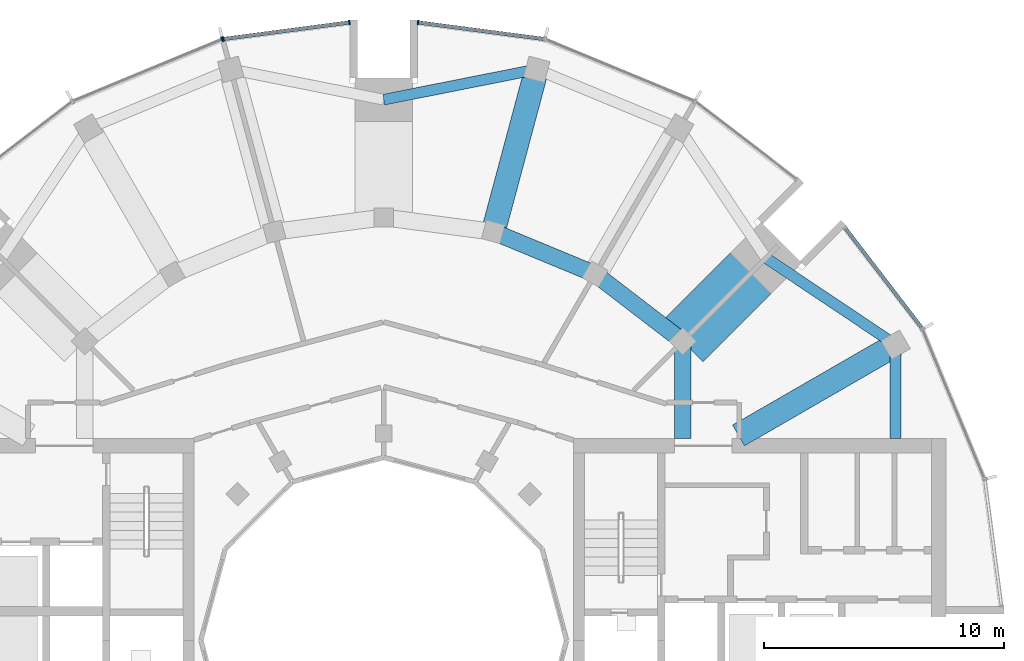
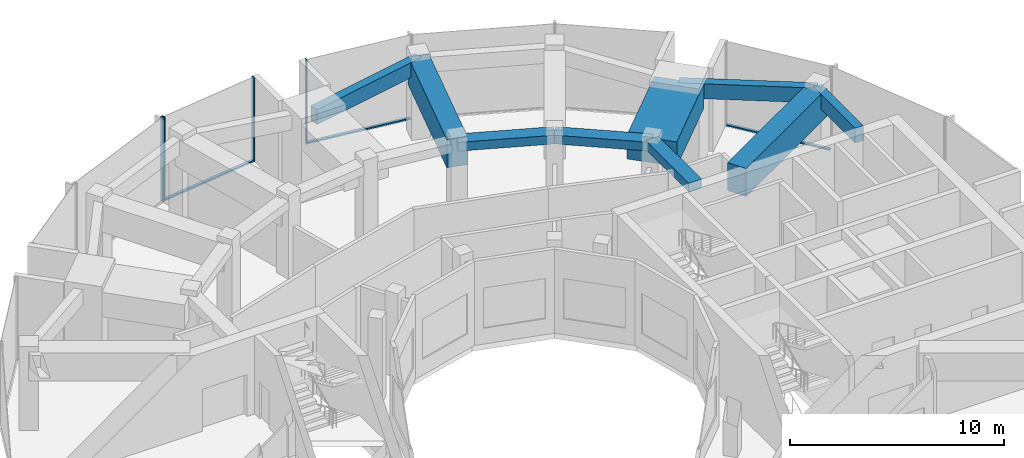
# One storey, part 7 of 17: 9 beams, 7 members, 4 elements without a shape of their own.
"""IFC4 building model written with IfcOpenShell, lengths in metres."""

from ifc_helpers import new_model, si_unit, direction, frame, origin, origin_2d, place, context, subcontext, project, spatial, rectangle, extrude, material, layer, layer_set, material_profile, profile_set, type_object, element, aggregate, save


model = new_model("IFC4")

# Units and contexts
model_context = context("Model", 3, precision=1e-05, world=origin(), true_north=direction((0.0, 1.0)))
body_context = subcontext(model_context, "Body", "Model", "MODEL_VIEW")
ifc_project = project(units=[si_unit("LENGTHUNIT", "METRE"), si_unit("AREAUNIT", "SQUARE_METRE"), si_unit("VOLUMEUNIT", "CUBIC_METRE"), si_unit("PLANEANGLEUNIT", "RADIAN"), si_unit("MASSUNIT", "GRAM", prefix="KILO")], contexts=[model_context])

# Site, building, storey
site_placement = place(None, origin())
site = spatial("IfcSite", under=ifc_project, at=site_placement, CompositionType="ELEMENT")
building_placement = place(site_placement, origin())
building = spatial("IfcBuilding", under=site, at=building_placement, Name="Torre Brocal", CompositionType="ELEMENT")
storey_placement = place(building_placement, frame((0.0, 0.0, 270.89990234375)))
storey = spatial("IfcBuildingStorey", under=building, at=storey_placement, Name="L62", CompositionType="ELEMENT", Elevation=270.89990234375)

# Curtain wall, member
ifc_material_1 = material(Name="Aluminium and glass", Category="aluminium")
ifc_layer = layer(ifc_material_1, 0.199951171875)
ifc_layer_set = layer_set([ifc_layer], Name="Aluminium and glass")
curtain_wall_type = type_object("IfcCurtainWallType", Name="CW-1 CURTAIN WALL 4800 HIGH", PredefinedType="NOTDEFINED", material=ifc_layer_set)
curtain_wall_1_placement = place(storey_placement, origin())
curtain_wall_1 = element("IfcCurtainWall", 1, at=curtain_wall_1_placement, inside=storey, type_object=curtain_wall_type, Name="CW-1 RUN 6", PredefinedType="NOTDEFINED")
ifc_material_2 = material(Name="Aluminium, dark anodised", Category="aluminium")
ifc_material_profile_1 = material_profile(ifc_material_2, rectangle(XDim=0.199951171875, YDim=0.06005859375, at=origin_2d()), Name="CW-1 MULLION 60X200")
ifc_profile_set_1 = profile_set([ifc_material_profile_1], Name="Aluminium, dark anodised")
member_type_1 = type_object("IfcMemberType", Name="CW-1 MULLION 60X200", PredefinedType="MULLION", material=ifc_profile_set_1)
member_1_placement = place(storey_placement, frame((81.4296875, 100.7109375, 0.0), z_axis=(0.0, 0.0, 1.0), x_axis=(-0.13052619222, -0.991444861374, 0.0)))
member_1 = element("IfcMember", 2, at=member_1_placement, type_object=member_type_1, Name="CW1-7 mullion 2", PredefinedType="MULLION", context=body_context, shape_type="SweptSolid", body=[
    extrude(rectangle(XDim=0.199951171875, YDim=0.06005859375, at=origin_2d()), origin(), (0.0, 0.0, 1.0), 4.800048828125),
])

# Curtain wall, members
curtain_wall_2_placement = place(storey_placement, origin())
curtain_wall_2 = element("IfcCurtainWall", 3, at=curtain_wall_2_placement, inside=storey, type_object=curtain_wall_type, Name="CW-1 RUN 7", PredefinedType="NOTDEFINED")
member_2_placement = place(storey_placement, frame((78.5703125, 100.7109375, 0.0), z_axis=(0.0, 0.0, 1.0), x_axis=(0.13052619222, -0.991444861374, 0.0)))
member_2 = element("IfcMember", 4, at=member_2_placement, type_object=member_type_1, Name="CW1-7 mullion 1", PredefinedType="MULLION", context=body_context, shape_type="SweptSolid", body=[
    extrude(rectangle(XDim=0.199951171875, YDim=0.06005859375, at=origin_2d()), origin(), (0.0, 0.0, 1.0), 4.800048828125),
])
member_3_placement = place(storey_placement, frame((73.32666015625, 100.0205078125, 0.0), z_axis=(0.0, 0.0, 1.0), x_axis=(0.13052619222, -0.991444861374, 0.0)))
member_3 = element("IfcMember", 5, at=member_3_placement, type_object=member_type_1, Name="CW1-7 mullion 2", PredefinedType="MULLION", context=body_context, shape_type="SweptSolid", body=[
    extrude(rectangle(XDim=0.199951171875, YDim=0.06005859375, at=origin_2d()), origin(), (0.0, 0.0, 1.0), 4.800048828125),
])

# Curtain wall, member
curtain_wall_3_placement = place(storey_placement, origin())
curtain_wall_3 = element("IfcCurtainWall", 6, at=curtain_wall_3_placement, inside=storey, type_object=curtain_wall_type, Name="CW-1 RUN 8", PredefinedType="NOTDEFINED")
member_4_placement = place(storey_placement, frame((73.26904296875, 100.005126953125, 0.0), z_axis=(0.0, 0.0, 1.0), x_axis=(0.382683432333, -0.923879532525, 0.0)))
member_4 = element("IfcMember", 7, at=member_4_placement, type_object=member_type_1, Name="CW1-7 mullion 1", PredefinedType="MULLION", context=body_context, shape_type="SweptSolid", body=[
    extrude(rectangle(XDim=0.199951171875, YDim=0.06005859375, at=origin_2d()), origin(), (0.0, 0.0, 1.0), 4.800048828125),
])
aggregate(curtain_wall_3, [member_4])

curtain_wall_4_placement = place(storey_placement, origin())
curtain_wall_4 = element("IfcCurtainWall", 8, at=curtain_wall_4_placement, inside=storey, type_object=curtain_wall_type, Name="CW-1 RUN 3", PredefinedType="NOTDEFINED")
ifc_material_3 = material(Name="Aluminium, dark anodised", Category="aluminium")
ifc_material_profile_2 = material_profile(ifc_material_3, rectangle(XDim=0.159912109375, YDim=0.080078125, at=origin_2d()), Name="CW-1 TRANSOM 160X80")
ifc_profile_set_2 = profile_set([ifc_material_profile_2], Name="Aluminium, dark anodised")
member_type_2 = type_object("IfcMemberType", Name="CW-1 TRANSOM 160X80", PredefinedType="USERDEFINED", material=ifc_profile_set_2)
member_5_placement = place(storey_placement, frame((102.392822265625, 87.9970703125, 0.0400390625), z_axis=(-0.60874908096, 0.79336281513, 0.0), x_axis=(-0.79336281513, -0.60874908096, 0.0)))
member_5 = element("IfcMember", 9, at=member_5_placement, type_object=member_type_2, Name="CW1-7 transom 1.1", ObjectType="TRANSOM", PredefinedType="USERDEFINED", context=body_context, shape_type="SweptSolid", body=[
    extrude(rectangle(XDim=0.159912109375, YDim=0.080078125, at=origin_2d()), origin(), (0.0, 0.0, 1.0), 5.22900390625),
])
aggregate(curtain_wall_4, [member_5])

# Member
member_6_placement = place(storey_placement, frame((86.643798828125, 100.0244140625, 0.0400390625), z_axis=(-0.991442690863, 0.130542677827, 0.0), x_axis=(-0.130542677827, -0.991442690863, 0.0)))
member_6 = element("IfcMember", 10, at=member_6_placement, type_object=member_type_2, Name="CW1-7 transom 1.1", ObjectType="TRANSOM", PredefinedType="USERDEFINED", context=body_context, shape_type="SweptSolid", body=[
    extrude(rectangle(XDim=0.159912109375, YDim=0.080078125, at=origin_2d()), origin(), (0.0, 0.0, 1.0), 5.22900390625),
])

aggregate(curtain_wall_1, [member_1, member_6])

member_7_placement = place(storey_placement, frame((78.54052734375, 100.70703125, 0.0400390625), z_axis=(-0.991442690863, -0.130542677827, 0.0), x_axis=(0.130542677827, -0.991442690863, 0.0)))
member_7 = element("IfcMember", 11, at=member_7_placement, type_object=member_type_2, Name="CW1-7 transom 1.1", ObjectType="TRANSOM", PredefinedType="USERDEFINED", context=body_context, shape_type="SweptSolid", body=[
    extrude(rectangle(XDim=0.159912109375, YDim=0.080078125, at=origin_2d()), origin(), (0.0, 0.0, 1.0), 5.22900390625),
])

aggregate(curtain_wall_2, [member_2, member_3, member_7])

# Beams
ifc_material_4 = material(Name="Concrete C50", Category="concrete")
ifc_material_profile_3 = material_profile(ifc_material_4, rectangle(XDim=0.699951171875, YDim=0.5, at=origin_2d()), Name="RC 700X500")
ifc_profile_set_3 = profile_set([ifc_material_profile_3], Name="Concrete C50")
beam_type_1 = type_object("IfcBeamType", Name="RC BEAM 700X500 C50 TOP 4480", PredefinedType="BEAM", material=ifc_profile_set_3)
beam_1_placement = place(storey_placement, frame((92.445068359375, 87.445068359375, 4.22998046875), z_axis=(-0.793358265959, 0.6087550097, 0.0), x_axis=(-0.6087550097, -0.793358265959, 0.0)))
element("IfcBeam", 12, at=beam_1_placement, inside=storey, type_object=beam_type_1, Name="Beam BT-45", PredefinedType="BEAM", context=body_context, shape_type="SweptSolid", body=[
    extrude(rectangle(XDim=0.699951171875, YDim=0.5, at=origin_2d()), origin(), (0.0, 0.0, 1.0), 4.594482421875),
])
beam_2_placement = place(storey_placement, frame((88.800048828125, 90.241943359375, 4.22998046875), z_axis=(-0.923878240166, 0.382686552348, 0.0), x_axis=(-0.382686552348, -0.923878240166, 0.0)))
element("IfcBeam", 13, at=beam_2_placement, inside=storey, type_object=beam_type_1, Name="Beam BT-45", PredefinedType="BEAM", context=body_context, shape_type="SweptSolid", body=[
    extrude(rectangle(XDim=0.699951171875, YDim=0.5, at=origin_2d()), origin(), (0.0, 0.0, 1.0), 4.5947265625),
])
beam_3_placement = place(storey_placement, frame((92.445068359375, 87.445068359375, 4.22998046875), z_axis=(0.0, -1.0, 0.0), x_axis=(1.0, 0.0, 0.0)))
element("IfcBeam", 14, at=beam_3_placement, inside=storey, type_object=beam_type_1, Name="Beam BT-45", PredefinedType="BEAM", context=body_context, shape_type="SweptSolid", body=[
    extrude(rectangle(XDim=0.699951171875, YDim=0.5, at=origin_2d()), origin(), (0.0, 0.0, 1.0), 4.045166015625),
])
ifc_material_5 = material(Name="Concrete C50", Category="concrete")
ifc_material_profile_4 = material_profile(ifc_material_5, rectangle(XDim=0.449951171875, YDim=0.85009765625, at=origin_2d()), Name="RC 450X850")
ifc_profile_set_4 = profile_set([ifc_material_profile_4], Name="Concrete C50")
beam_type_2 = type_object("IfcBeamType", Name="RC SPANDREL BEAM 450X850 C50 TOP 4480", PredefinedType="SPANDREL", material=ifc_profile_set_4)
for number, where, z_axis, x_axis, name in (
    (15, (101.30419921875, 87.300048828125, 4.05517578125), (-0.831076844476, 0.556157602282, 0.0), (-0.556157602282, -0.831076844476, 0.0), "Beam BT-46"),
    (16, (86.366943359375, 98.76171875, 4.05517578125), (-0.980924907484, -0.194387051723, 0.0), (0.194387051723, -0.980924907484, 0.0), "Beam BT-46"),
):
    element("IfcBeam", number, at=place(storey_placement, frame(where, z_axis=z_axis, x_axis=x_axis)), inside=storey, type_object=beam_type_2, Name=name, PredefinedType="SPANDREL", context=body_context, shape_type="SweptSolid", body=[
        extrude(rectangle(XDim=0.449951171875, YDim=0.85009765625, at=origin_2d()), origin(), (0.0, 0.0, 1.0), 6.49072265625),
    ])
beam_4_placement = place(storey_placement, frame((101.30419921875, 87.300048828125, 4.05517578125), z_axis=(0.0, -1.0, 0.0), x_axis=(1.0, 0.0, 0.0)))
element("IfcBeam", 17, at=beam_4_placement, inside=storey, type_object=beam_type_2, Name="Beam BT-46", PredefinedType="SPANDREL", context=body_context, shape_type="SweptSolid", body=[
    extrude(rectangle(XDim=0.449951171875, YDim=0.85009765625, at=origin_2d()), origin(), (0.0, 0.0, 1.0), 3.900146484375),
])
ifc_material_6 = material(Name="Concrete C60", Category="concrete")
ifc_material_profile_5 = material_profile(ifc_material_6, rectangle(XDim=1.0, YDim=1.60009765625, at=origin_2d()), Name="RC 1000X1600")
ifc_profile_set_5 = profile_set([ifc_material_profile_5], Name="Concrete C60")
beam_type_3 = type_object("IfcBeamType", Name="RC TRANSFER GIRDER 1000X1600 C60 TOP 4480", PredefinedType="BEAM", material=ifc_profile_set_5)
beam_5_placement = place(storey_placement, frame((84.55517578125, 92.000244140625, 3.68017578125), z_axis=(0.258823832372, 0.965924543531, 0.0), x_axis=(-0.965924543531, 0.258823832372, 0.0)))
element("IfcBeam", 18, at=beam_5_placement, inside=storey, type_object=beam_type_3, Name="Beam TG-05", PredefinedType="BEAM", context=body_context, shape_type="SweptSolid", body=[
    extrude(rectangle(XDim=1.0, YDim=1.60009765625, at=origin_2d()), origin(), (0.0, 0.0, 1.0), 7.0),
])
beam_6_placement = place(storey_placement, frame((94.765625, 83.52490234375, 3.68017578125), z_axis=(0.866019731711, 0.50000982419, 0.0), x_axis=(-0.50000982419, 0.866019731711, 0.0)))
element("IfcBeam", 19, at=beam_6_placement, inside=storey, type_object=beam_type_3, Name="Beam TG-05", PredefinedType="BEAM", context=body_context, shape_type="SweptSolid", body=[
    extrude(rectangle(XDim=1.0, YDim=1.60009765625, at=origin_2d()), origin(), (0.0, 0.0, 1.0), 7.550048828125),
])
ifc_material_7 = material(Name="Concrete C60", Category="concrete")
ifc_material_profile_6 = material_profile(ifc_material_7, rectangle(XDim=2.39990234375, YDim=1.39990234375, at=origin_2d()), Name="RC 2400X1400")
ifc_profile_set_6 = profile_set([ifc_material_profile_6], Name="Concrete C60")
beam_type_4 = type_object("IfcBeamType", Name="RC TRANSFER GIRDER 2400X1400 C60 TOP 4480", PredefinedType="BEAM", material=ifc_profile_set_6)
beam_7_placement = place(storey_placement, frame((92.445068359375, 87.445068359375, 3.780029296875), z_axis=(0.707106781187, 0.707106781187, 0.0), x_axis=(-0.707106781187, 0.707106781187, 0.0)))
element("IfcBeam", 20, at=beam_7_placement, inside=storey, type_object=beam_type_4, Name="Beam TG-06", PredefinedType="BEAM", context=body_context, shape_type="SweptSolid", body=[
    extrude(rectangle(XDim=2.39990234375, YDim=1.39990234375, at=origin_2d()), origin(), (0.0, 0.0, 1.0), 4.900146484375),
])

save(model, "model.ifc")
